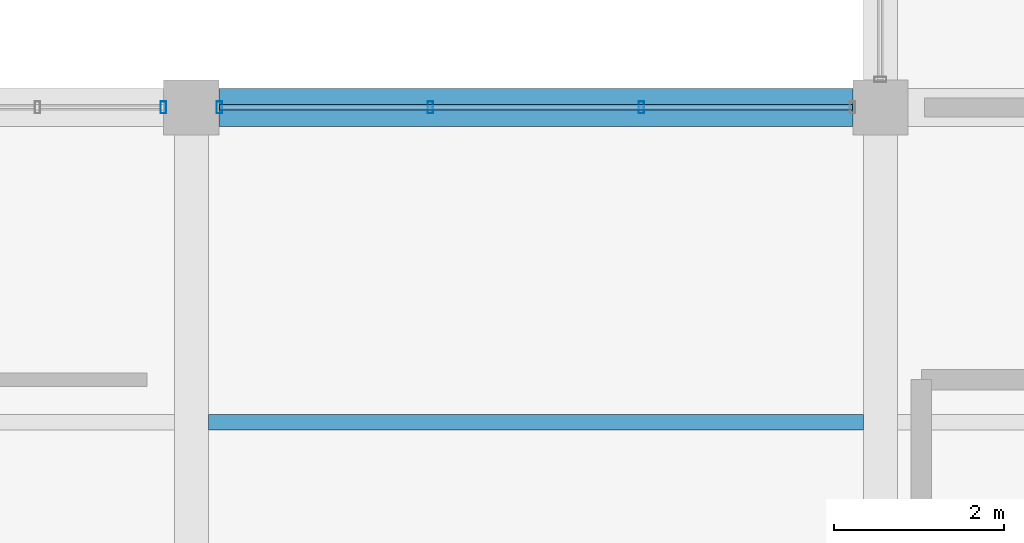
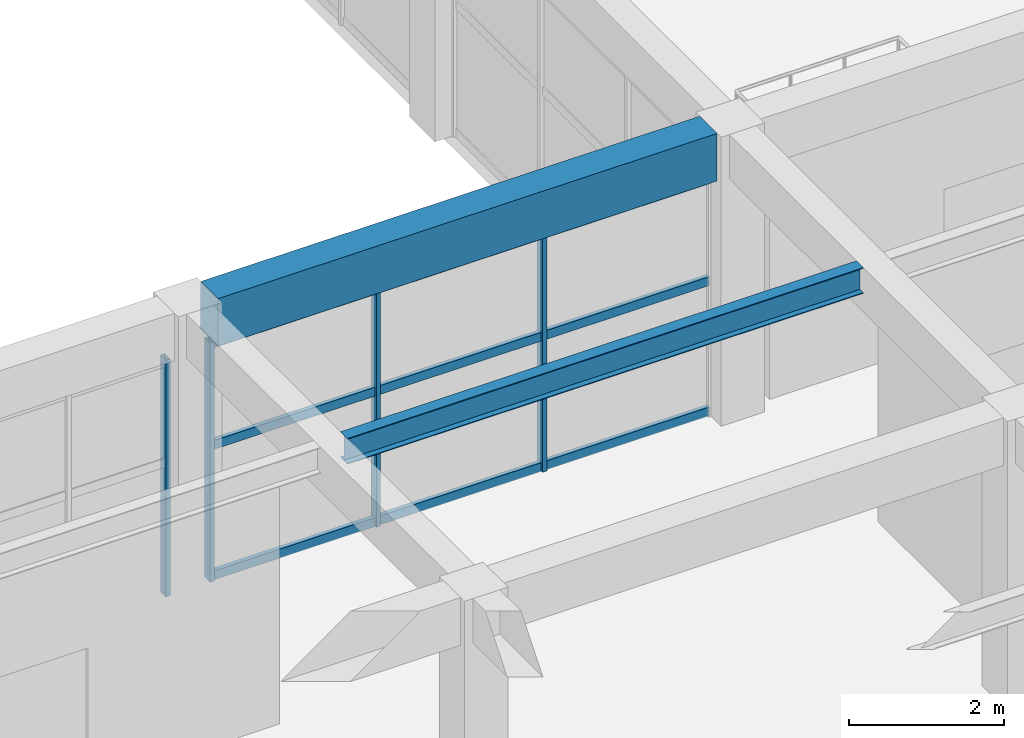
# One storey, part 54 of 161: 7 members, 2 beams, 2 elements without a shape of their own.
"""IFC4 building model written with IfcOpenShell, lengths in metres."""

from ifc_helpers import new_model, si_unit, direction, frame, origin, origin_2d, place, context, subcontext, project, spatial, rectangle, hollow_rectangle, i_section, extrude, material, material_profile, profile_set, type_object, element, aggregate, save


model = new_model("IFC4")

# Units and contexts
model_context = context("Model", 3, precision=1e-05, world=origin(), true_north=direction((0.0, 1.0)))
body_context = subcontext(model_context, "Body", "Model", "MODEL_VIEW")
ifc_project = project(units=[si_unit("LENGTHUNIT", "METRE"), si_unit("AREAUNIT", "SQUARE_METRE"), si_unit("VOLUMEUNIT", "CUBIC_METRE"), si_unit("PLANEANGLEUNIT", "RADIAN"), si_unit("MASSUNIT", "GRAM", prefix="KILO")], contexts=[model_context])

# Site, building, storey
site_placement = place(None, origin())
site = spatial("IfcSite", under=ifc_project, at=site_placement, CompositionType="ELEMENT")
building_placement = place(site_placement, origin())
building = spatial("IfcBuilding", under=site, at=building_placement, Name="Cimatlan Art Gallery", CompositionType="ELEMENT")
storey_placement = place(building_placement, frame((0.0, 0.0, 5.39990234375)))
storey = spatial("IfcBuildingStorey", under=building, at=storey_placement, Name="L01", CompositionType="ELEMENT", Elevation=5.39990234375)

# Beams
ifc_material_1 = material(Name="Concrete C40/50", Category="concrete")
ifc_material_profile_1 = material_profile(ifc_material_1, rectangle(XDim=0.449951171875, YDim=0.75, at=origin_2d()), Name="RC450X750")
ifc_profile_set_1 = profile_set([ifc_material_profile_1], Name="Concrete C40/50")
beam_type_1 = type_object("IfcBeamType", Name="BM-RC-450X750", PredefinedType="BEAM", material=ifc_profile_set_1)
beam_1_placement = place(storey_placement, frame((107.625, 38.699951171875, 4.18505859375), z_axis=(1.0, 0.0, 0.0), x_axis=(0.0, 1.0, 0.0)))
element("IfcBeam", 1, at=beam_1_placement, inside=storey, type_object=beam_type_1, Name="BM-X-L01-13-05", PredefinedType="BEAM", context=body_context, shape_type="SweptSolid", body=[
    extrude(rectangle(XDim=0.449951171875, YDim=0.75, at=origin_2d()), origin(), (0.0, 0.0, 1.0), 7.449951171875),
])
ifc_material_2 = material(Name="Steel ASTM A992 Grade 50", Category="steel")
ifc_material_profile_2 = material_profile(ifc_material_2, i_section(OverallWidth=0.177978515625, OverallDepth=0.406982421875, WebThickness=0.0078125, FlangeThickness=0.0126953125, at=origin_2d()), Name="W16X40")
ifc_profile_set_2 = profile_set([ifc_material_profile_2], Name="Steel ASTM A992 Grade 50")
beam_type_2 = type_object("IfcBeamType", Name="BM-STL-W16X40", PredefinedType="JOIST", material=ifc_profile_set_2)
beam_2_placement = place(storey_placement, frame((107.5, 35.0, 4.356689453125), z_axis=(1.0, 0.0, 0.0), x_axis=(0.0, 1.0, 0.0)))
element("IfcBeam", 2, at=beam_2_placement, inside=storey, type_object=beam_type_2, Name="JST-L01-13-04", PredefinedType="JOIST", context=body_context, shape_type="SweptSolid", body=[
    extrude(i_section(OverallWidth=0.177978515625, OverallDepth=0.406982421875, WebThickness=0.0078125, FlangeThickness=0.0126953125, at=origin_2d()), origin(), (0.0, 0.0, 1.0), 7.699951171875),
])

# Curtain wall, member
ifc_material_3 = material(Name="Anodised bronze unitised curtain wall")
curtain_wall_type_1 = type_object("IfcCurtainWallType", Name="CW-V-07392X03735-B5", PredefinedType="NOTDEFINED", material=ifc_material_3)
curtain_wall_1_placement = place(storey_placement, origin())
curtain_wall_1 = element("IfcCurtainWall", 3, at=curtain_wall_1_placement, inside=storey, type_object=curtain_wall_type_1, Name="CW-L01-12-04-N", PredefinedType="NOTDEFINED")
ifc_material_4 = material(Name="Anodised bronze aluminium 6063-T6", Category="aluminium")
ifc_material_profile_3 = material_profile(ifc_material_4, hollow_rectangle(XDim=0.06494140625, YDim=0.139892578125, WallThickness=0.00390625, at=origin_2d()), Name="ALU65X140X4")
ifc_profile_set_3 = profile_set([ifc_material_profile_3], Name="Anodised bronze aluminium 6063-T6")
member_type_1 = type_object("IfcMemberType", Name="CW-MUL-140", PredefinedType="MULLION", material=ifc_profile_set_3)
member_1_placement = place(storey_placement, frame((106.970947265625, 38.699951171875, 0.0), z_axis=(0.0, 0.0, 1.0), x_axis=(1.0, 0.0, 0.0)))
member_1 = element("IfcMember", 4, at=member_1_placement, type_object=member_type_1, Name="CW-L01-12-04-N-M6", PredefinedType="MULLION", context=body_context, shape_type="SweptSolid", body=[
    extrude(hollow_rectangle(XDim=0.06494140625, YDim=0.139892578125, WallThickness=0.00390625, at=origin_2d()), origin(), (0.0, 0.0, 1.0), 3.735107421875),
])
aggregate(curtain_wall_1, [member_1])

# Curtain wall, members
curtain_wall_type_2 = type_object("IfcCurtainWallType", Name="CW-V-07442X03780-B3", PredefinedType="NOTDEFINED", material=ifc_material_3)
curtain_wall_2_placement = place(storey_placement, origin())
curtain_wall_2 = element("IfcCurtainWall", 5, at=curtain_wall_2_placement, inside=storey, type_object=curtain_wall_type_2, Name="CW-L01-13-04-N", PredefinedType="NOTDEFINED")
member_2_placement = place(storey_placement, frame((107.62890625, 38.699951171875, 0.0), z_axis=(0.0, 0.0, 1.0), x_axis=(1.0, 0.0, 0.0)))
member_2 = element("IfcMember", 6, at=member_2_placement, type_object=member_type_1, Name="CW-L01-13-04-N-M1", PredefinedType="MULLION", context=body_context, shape_type="SweptSolid", body=[
    extrude(hollow_rectangle(XDim=0.06494140625, YDim=0.139892578125, WallThickness=0.00390625, at=origin_2d()), origin(), (0.0, 0.0, 1.0), 3.780029296875),
])
member_3_placement = place(storey_placement, frame((110.109619140625, 38.699951171875, 0.0), z_axis=(0.0, 0.0, 1.0), x_axis=(1.0, 0.0, 0.0)))
member_3 = element("IfcMember", 7, at=member_3_placement, type_object=member_type_1, Name="CW-L01-13-04-N-M2", PredefinedType="MULLION", context=body_context, shape_type="SweptSolid", body=[
    extrude(hollow_rectangle(XDim=0.06494140625, YDim=0.139892578125, WallThickness=0.00390625, at=origin_2d()), origin(), (0.0, 0.0, 1.0), 3.780029296875),
])
member_4_placement = place(storey_placement, frame((112.59033203125, 38.699951171875, 0.0), z_axis=(0.0, 0.0, 1.0), x_axis=(1.0, 0.0, 0.0)))
member_4 = element("IfcMember", 8, at=member_4_placement, type_object=member_type_1, Name="CW-L01-13-04-N-M3", PredefinedType="MULLION", context=body_context, shape_type="SweptSolid", body=[
    extrude(hollow_rectangle(XDim=0.06494140625, YDim=0.139892578125, WallThickness=0.00390625, at=origin_2d()), origin(), (0.0, 0.0, 1.0), 3.780029296875),
])
ifc_material_profile_4 = material_profile(ifc_material_4, hollow_rectangle(XDim=0.06494140625, YDim=0.139892578125, WallThickness=0.00390625, at=origin_2d()), Name="ALU65X140X4")
ifc_profile_set_4 = profile_set([ifc_material_profile_4], Name="Anodised bronze aluminium 6063-T6")
member_type_2 = type_object("IfcMemberType", Name="CW-TRN-140", PredefinedType="USERDEFINED", material=ifc_profile_set_4)
member_5_placement = place(storey_placement, frame((107.62890625, 38.699951171875, 0.06005859375), z_axis=(1.0, 0.0, 0.0), x_axis=(0.0, 1.0, 0.0)))
member_5 = element("IfcMember", 9, at=member_5_placement, type_object=member_type_2, Name="CW-L01-13-04-N-T1", ObjectType="TRANSOM", PredefinedType="USERDEFINED", context=body_context, shape_type="SweptSolid", body=[
    extrude(hollow_rectangle(XDim=0.06494140625, YDim=0.139892578125, WallThickness=0.00390625, at=origin_2d()), origin(), (0.0, 0.0, 1.0), 7.442138671875),
])
member_6_placement = place(storey_placement, frame((107.62890625, 38.699951171875, 2.116943359375), z_axis=(1.0, 0.0, 0.0), x_axis=(0.0, 1.0, 0.0)))
member_6 = element("IfcMember", 10, at=member_6_placement, type_object=member_type_2, Name="CW-L01-13-04-N-T2", ObjectType="TRANSOM", PredefinedType="USERDEFINED", context=body_context, shape_type="SweptSolid", body=[
    extrude(hollow_rectangle(XDim=0.06494140625, YDim=0.139892578125, WallThickness=0.00390625, at=origin_2d()), origin(), (0.0, 0.0, 1.0), 7.442138671875),
])
member_7_placement = place(storey_placement, frame((107.62890625, 38.699951171875, 3.72021484375), z_axis=(1.0, 0.0, 0.0), x_axis=(0.0, 1.0, 0.0)))
member_7 = element("IfcMember", 11, at=member_7_placement, type_object=member_type_2, Name="CW-L01-13-04-N-T3", ObjectType="TRANSOM", PredefinedType="USERDEFINED", context=body_context, shape_type="SweptSolid", body=[
    extrude(hollow_rectangle(XDim=0.06494140625, YDim=0.139892578125, WallThickness=0.00390625, at=origin_2d()), origin(), (0.0, 0.0, 1.0), 7.442138671875),
])
aggregate(curtain_wall_2, [member_2, member_3, member_4, member_5, member_6, member_7])

save(model, "model.ifc")
